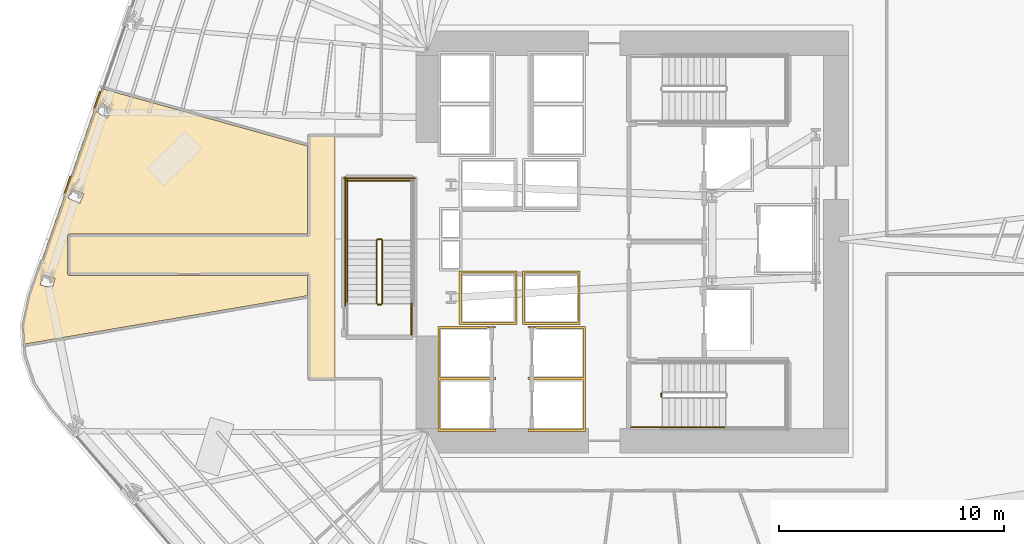
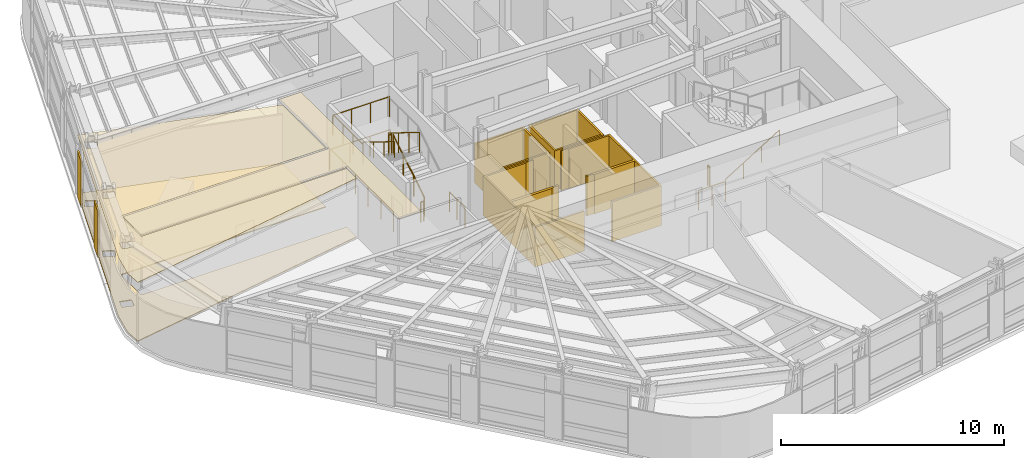
# One storey, part 13 of 18: 13 railings, 9 coverings.
"""IFC4 building model written with IfcOpenShell, lengths in metres."""

from ifc_helpers import new_model, si_unit, direction, frame, origin, origin_2d, place, context, subcontext, project, spatial, polyline, circle, outline, extrude, material, layer, layer_set, type_object, element, save


model = new_model("IFC4")

# Units and contexts
model_context = context("Model", 3, precision=1e-05, world=origin(), true_north=direction((0.0, 1.0)))
body_context = subcontext(model_context, "Body", "Model", "MODEL_VIEW")
ifc_project = project(units=[si_unit("LENGTHUNIT", "METRE"), si_unit("AREAUNIT", "SQUARE_METRE"), si_unit("VOLUMEUNIT", "CUBIC_METRE"), si_unit("PLANEANGLEUNIT", "RADIAN"), si_unit("MASSUNIT", "GRAM", prefix="KILO")], contexts=[model_context])

# Site, building, storey
site_placement = place(None, origin())
site = spatial("IfcSite", under=ifc_project, at=site_placement, CompositionType="ELEMENT")
building_placement = place(site_placement, origin())
building = spatial("IfcBuilding", under=site, at=building_placement, Name="Valkerne Bourse Tower", CompositionType="ELEMENT")
storey_placement = place(building_placement, frame((0.0, 0.0, 69.60009765625)))
storey = spatial("IfcBuildingStorey", under=building, at=storey_placement, Name="L17", CompositionType="ELEMENT", Elevation=69.60009765625)

# Coverings
ifc_material_1 = material(Name="Mineral Fiber Acoustic Ceiling Tile", Category="acoustic")
ifc_layer_1 = layer(ifc_material_1, 0.02490234375)
ifc_layer_set_1 = layer_set([ifc_layer_1], Name="Mineral Fiber Acoustic Ceiling Tile")
covering_type_1 = type_object("IfcCoveringType", Name="COV-CEIL-ACT", PredefinedType="CEILING", material=ifc_layer_set_1)
covering_1_placement = place(storey_placement, frame((0.0, 0.0, 3.22998046875)))
element("IfcCovering", 1, at=covering_1_placement, inside=storey, type_object=covering_type_1, Name="L17 Suspended Ceiling 05", PredefinedType="CEILING", context=body_context, shape_type="SweptSolid", body=[
    extrude(outline(polyline([(23.23779296875, 33.688232421875), (32.381103515625, 31.13427734375), (32.381103515625, 27.218994140625), (21.799560546875, 27.218994140625), (21.77099609375, 27.212646484375), (21.748779296875, 27.196533203125), (21.73095703125, 27.15087890625), (21.731201171875, 25.446533203125), (21.744873046875, 25.408203125), (21.783447265625, 25.3828125), (32.381103515625, 25.381103515625), (32.381103515625, 24.489501953125), (19.80810546875, 22.337890625), (19.760009765625, 23.173583984375), (20.029541015625, 24.47509765625), (23.23779296875, 33.688232421875)]), holes=[polyline([(21.17138671875, 25.268310546875), (20.634765625, 25.414794921875), (20.51318359375, 24.976318359375), (20.513427734375, 24.972412109375), (21.050048828125, 24.82568359375), (21.171630859375, 25.264404296875), (21.17138671875, 25.268310546875)]), polyline([(22.452880859375, 29.0048828125), (22.453125, 29.008544921875), (21.9443359375, 29.233642578125), (21.7587890625, 28.817626953125), (21.758544921875, 28.814208984375), (22.26708984375, 28.589111328125), (22.452880859375, 29.0048828125)]), polyline([(23.7275390625, 32.742431640625), (23.26171875, 33.04638671875), (23.01171875, 32.66552734375), (23.0107421875, 32.662109375), (23.476806640625, 32.3583984375), (23.726806640625, 32.739013671875), (23.7275390625, 32.742431640625)])]), origin(), (0.0, 0.0, 1.0), 0.02490234375),
])
ifc_material_2 = material(Name="Bronze Anodised Aluminium AA 6063-T6", Category="aluminium")
ifc_layer_2 = layer(ifc_material_2, 0.030029296875)
ifc_layer_set_2 = layer_set([ifc_layer_2], Name="Bronze Anodised Aluminium AA 6063-T6")
covering_type_2 = type_object("IfcCoveringType", Name="COV-CEIL-METAL", PredefinedType="CEILING", material=ifc_layer_set_2)
covering_2_placement = place(storey_placement, frame((0.0, 0.0, 3.22998046875)))
element("IfcCovering", 2, at=covering_2_placement, inside=storey, type_object=covering_type_2, Name="L17 Suspended Ceiling 02", PredefinedType="CEILING", context=body_context, shape_type="SweptSolid", body=[
    extrude(outline(polyline([(32.4541015625, 20.803955078125), (32.4541015625, 25.4541015625), (21.803955078125, 25.4541015625), (21.803955078125, 27.14599609375), (32.4541015625, 27.14599609375), (32.4541015625, 31.595947265625), (33.60009765625, 31.595947265625), (33.60009765625, 20.803955078125), (32.4541015625, 20.803955078125)])), origin(), (0.0, 0.0, 1.0), 0.02490234375),
])
ifc_layer_3 = layer(ifc_material_2, 0.06005859375)
ifc_layer_set_3 = layer_set([ifc_layer_3], Name="Bronze Anodised Aluminium AA 6063-T6")
covering_type_3 = type_object("IfcCoveringType", Name="COV-CRN-ALUM", PredefinedType="CLADDING", material=ifc_layer_set_3)
covering_3_placement = place(storey_placement, origin())
element("IfcCovering", 3, at=covering_3_placement, inside=storey, type_object=covering_type_3, Name="L17 Wind-Shaped Corner Aluminium Cladding 17", PredefinedType="CLADDING", context=body_context, shape_type="SweptSolid", body=[
    extrude(outline(polyline([(21.834228515625, 29.791748046875), (21.909912109375, 29.765380859375), (21.633544921875, 28.97216796875), (21.55810546875, 28.998291015625), (21.834228515625, 29.791748046875)])), origin(), (0.0, 0.0, 1.0), 2.5),
])
covering_4_placement = place(storey_placement, origin())
element("IfcCovering", 4, at=covering_4_placement, inside=storey, type_object=covering_type_3, Name="L17 Wind-Shaped Corner Aluminium Cladding 18", PredefinedType="CLADDING", context=body_context, shape_type="SweptSolid", body=[
    extrude(outline(polyline([(23.1484375, 33.565185546875), (23.22412109375, 33.5390625), (22.94775390625, 32.745849609375), (22.872314453125, 32.772216796875), (23.1484375, 33.565185546875)])), origin(), (0.0, 0.0, 1.0), 2.5),
])
ifc_material_3 = material(Name="Galvanised Painted Steel", Category="steel")
ifc_layer_4 = layer(ifc_material_3, 0.044921875)
ifc_layer_set_4 = layer_set([ifc_layer_4], Name="Galvanised Painted Steel")
covering_type_4 = type_object("IfcCoveringType", Name="COV-FLR-RAF", PredefinedType="FLOORING", material=ifc_layer_set_4)
covering_5_placement = place(storey_placement, origin())
element("IfcCovering", 5, at=covering_5_placement, inside=storey, type_object=covering_type_4, Name="L17 Floor Finish 05", PredefinedType="FLOORING", context=body_context, shape_type="SweptSolid", body=[
    extrude(outline(polyline([(23.23779296875, 33.688232421875), (32.381103515625, 31.13427734375), (32.381103515625, 27.218994140625), (21.799560546875, 27.218994140625), (21.77099609375, 27.212646484375), (21.748779296875, 27.196533203125), (21.73095703125, 27.15087890625), (21.731201171875, 25.446533203125), (21.744873046875, 25.408203125), (21.783447265625, 25.3828125), (32.381103515625, 25.381103515625), (32.381103515625, 24.489501953125), (19.80810546875, 22.337890625), (19.760009765625, 23.173583984375), (20.029541015625, 24.47509765625), (23.23779296875, 33.688232421875)]), holes=[polyline([(21.17138671875, 25.268310546875), (20.634765625, 25.414794921875), (20.51318359375, 24.976318359375), (20.513427734375, 24.972412109375), (21.050048828125, 24.82568359375), (21.171630859375, 25.264404296875), (21.17138671875, 25.268310546875)]), polyline([(22.452880859375, 29.0048828125), (22.453125, 29.008544921875), (21.9443359375, 29.233642578125), (21.7587890625, 28.817626953125), (21.758544921875, 28.814208984375), (22.26708984375, 28.589111328125), (22.452880859375, 29.0048828125)]), polyline([(23.7275390625, 32.742431640625), (23.26171875, 33.04638671875), (23.01171875, 32.66552734375), (23.0107421875, 32.662109375), (23.476806640625, 32.3583984375), (23.726806640625, 32.739013671875), (23.7275390625, 32.742431640625)])]), origin(), (0.0, 0.0, 1.0), 0.044921875),
])
ifc_material_4 = material(Name="Gypsum Shaftwall Liner Board", Category="gypsum")
ifc_layer_5 = layer(ifc_material_4, 0.080078125)
ifc_layer_set_5 = layer_set([ifc_layer_5], Name="Gypsum Shaftwall Liner Board")
covering_type_5 = type_object("IfcCoveringType", Name="COV-SHF-CLAD", PredefinedType="CLADDING", material=ifc_layer_set_5)
covering_6_placement = place(storey_placement, origin())
element("IfcCovering", 6, at=covering_6_placement, inside=storey, type_object=covering_type_5, Name="L17 Hoistway & Riser Shaftwall Liner 01", PredefinedType="CLADDING", context=body_context, shape_type="SweptSolid", body=[
    extrude(outline(polyline([(38.169921875, 23.1298828125), (40.72998046875, 23.1298828125), (40.72998046875, 23.052001953125), (40.72216796875, 23.0556640625), (40.6806640625, 23.070556640625), (40.6376953125, 23.081298828125), (40.593994140625, 23.087890625), (40.550048828125, 23.090087890625), (40.505859375, 23.087890625), (40.462158203125, 23.081298828125), (40.41943359375, 23.070556640625), (40.377685546875, 23.0556640625), (40.344482421875, 23.0400390625), (38.260009765625, 23.0400390625), (38.260009765625, 20.860107421875), (40.456787109375, 20.860107421875), (40.462158203125, 20.858642578125), (40.505859375, 20.852294921875), (40.550048828125, 20.85009765625), (40.593994140625, 20.852294921875), (40.6376953125, 20.858642578125), (40.6806640625, 20.869384765625), (40.72216796875, 20.88427734375), (40.72998046875, 20.887939453125), (40.72998046875, 20.830078125), (40.72998046875, 20.77001953125), (40.72998046875, 20.752197265625), (40.72216796875, 20.755615234375), (40.6806640625, 20.7705078125), (40.6376953125, 20.781494140625), (40.593994140625, 20.787841796875), (40.550048828125, 20.7900390625), (40.505859375, 20.787841796875), (40.462158203125, 20.781494140625), (40.41943359375, 20.7705078125), (40.377685546875, 20.755615234375), (40.344482421875, 20.739990234375), (38.260009765625, 20.739990234375), (38.260009765625, 18.56005859375), (40.456787109375, 18.56005859375), (40.462158203125, 18.55859375), (40.505859375, 18.55224609375), (40.550048828125, 18.550048828125), (40.593994140625, 18.55224609375), (40.6376953125, 18.55859375), (40.6806640625, 18.5693359375), (40.72216796875, 18.584228515625), (40.72998046875, 18.587890625), (40.72998046875, 18.469970703125), (38.169921875, 18.469970703125), (38.169921875, 20.77001953125), (38.169921875, 20.830078125), (38.169921875, 23.1298828125)])), origin(), (0.0, 0.0, 1.0), 2.179931640625),
])
covering_7_placement = place(storey_placement, origin())
element("IfcCovering", 7, at=covering_7_placement, inside=storey, type_object=covering_type_5, Name="L17 Hoistway & Riser Shaftwall Liner 02", PredefinedType="CLADDING", context=body_context, shape_type="SweptSolid", body=[
    extrude(outline(polyline([(41.679931640625, 23.219970703125), (39.1201171875, 23.219970703125), (39.1201171875, 25.580078125), (41.679931640625, 25.580078125), (41.679931640625, 23.219970703125)]), holes=[polyline([(39.2099609375, 25.489990234375), (39.2099609375, 23.31005859375), (41.590087890625, 23.31005859375), (41.590087890625, 25.489990234375), (39.2099609375, 25.489990234375)])]), origin(), (0.0, 0.0, 1.0), 2.179931640625),
])
covering_8_placement = place(storey_placement, origin())
element("IfcCovering", 8, at=covering_8_placement, inside=storey, type_object=covering_type_5, Name="L17 Hoistway & Riser Shaftwall Liner 03", PredefinedType="CLADDING", context=body_context, shape_type="SweptSolid", body=[
    extrude(outline(polyline([(44.47998046875, 23.219970703125), (41.919921875, 23.219970703125), (41.919921875, 25.580078125), (44.47998046875, 25.580078125), (44.47998046875, 23.219970703125)]), holes=[polyline([(42.010009765625, 25.489990234375), (42.010009765625, 23.31005859375), (44.389892578125, 23.31005859375), (44.389892578125, 25.489990234375), (42.010009765625, 25.489990234375)])]), origin(), (0.0, 0.0, 1.0), 2.179931640625),
])
covering_9_placement = place(storey_placement, origin())
element("IfcCovering", 9, at=covering_9_placement, inside=storey, type_object=covering_type_5, Name="L17 Hoistway & Riser Shaftwall Liner 06", PredefinedType="CLADDING", context=body_context, shape_type="SweptSolid", body=[
    extrude(outline(polyline([(42.169921875, 20.830078125), (42.169921875, 20.887939453125), (42.177734375, 20.88427734375), (42.219482421875, 20.869384765625), (42.26220703125, 20.858642578125), (42.305908203125, 20.852294921875), (42.35009765625, 20.85009765625), (42.39404296875, 20.852294921875), (42.437744140625, 20.858642578125), (42.443115234375, 20.860107421875), (44.639892578125, 20.860107421875), (44.639892578125, 23.0400390625), (42.555419921875, 23.0400390625), (42.522216796875, 23.0556640625), (42.480712890625, 23.070556640625), (42.437744140625, 23.081298828125), (42.39404296875, 23.087890625), (42.35009765625, 23.090087890625), (42.305908203125, 23.087890625), (42.26220703125, 23.081298828125), (42.219482421875, 23.070556640625), (42.177734375, 23.0556640625), (42.169921875, 23.052001953125), (42.169921875, 23.1298828125), (44.72998046875, 23.1298828125), (44.72998046875, 20.830078125), (44.72998046875, 20.77001953125), (44.72998046875, 18.469970703125), (42.169921875, 18.469970703125), (42.169921875, 18.587890625), (42.177734375, 18.584228515625), (42.219482421875, 18.5693359375), (42.26220703125, 18.55859375), (42.305908203125, 18.55224609375), (42.35009765625, 18.550048828125), (42.39404296875, 18.55224609375), (42.437744140625, 18.55859375), (42.443115234375, 18.56005859375), (44.639892578125, 18.56005859375), (44.639892578125, 20.739990234375), (42.555419921875, 20.739990234375), (42.522216796875, 20.755615234375), (42.480712890625, 20.7705078125), (42.437744140625, 20.781494140625), (42.39404296875, 20.787841796875), (42.35009765625, 20.7900390625), (42.305908203125, 20.787841796875), (42.26220703125, 20.781494140625), (42.219482421875, 20.7705078125), (42.177734375, 20.755615234375), (42.169921875, 20.752197265625), (42.169921875, 20.77001953125), (42.169921875, 20.830078125)])), origin(), (0.0, 0.0, 1.0), 2.179931640625),
])

# Railings
railing_type_1 = type_object("IfcRailingType", Name="RLG-ST-GUARD-1120", PredefinedType="GUARDRAIL", material=ifc_material_3)
railing_1_placement = place(storey_placement, frame((48.10009765625, 20.0, 0.0)))
element("IfcRailing", 10, at=railing_1_placement, inside=storey, type_object=railing_type_1, Name="L17 ST-1 stair guard 7", PredefinedType="GUARDRAIL", context=body_context, shape_type="SweptSolid", body=[
    extrude(circle(Radius=0.02392578125, at=origin_2d()), frame((0.0, 0.0, 1.09619140625), z_axis=(0.0, 1.0, 0.0), x_axis=(-1.0, 0.0, 0.0)), (0.0, 0.0, 1.0), 0.14990234375),
    extrude(circle(Radius=0.02099609375, at=origin_2d()), origin(), (0.0, 0.0, 1.0), 1.072021484375),
    extrude(circle(Radius=0.02099609375, at=origin_2d()), frame((0.0, 0.14990234375, 0.0)), (0.0, 0.0, 1.0), 1.072021484375),
])
railing_2_placement = place(storey_placement, frame((46.75, 18.64990234375, 0.0)))
element("IfcRailing", 11, at=railing_2_placement, inside=storey, type_object=railing_type_1, Name="L17 ST-1 stair guard 8", PredefinedType="GUARDRAIL", context=body_context, shape_type="SweptSolid", body=[
    extrude(circle(Radius=0.02392578125, at=origin_2d()), frame((0.0, 0.0, 1.09619140625), z_axis=(1.0, 0.0, 0.0), x_axis=(0.0, 1.0, 0.0)), (0.0, 0.0, 1.0), 1.39990234375),
    extrude(circle(Radius=0.02099609375, at=origin_2d()), origin(), (0.0, 0.0, 1.0), 1.072021484375),
    extrude(circle(Radius=0.02099609375, at=origin_2d()), frame((0.699951171875, 0.0, 0.0)), (0.0, 0.0, 1.0), 1.072021484375),
    extrude(circle(Radius=0.02099609375, at=origin_2d()), frame((1.39990234375, 0.0, 0.0)), (0.0, 0.0, 1.0), 1.072021484375),
])
railing_3_placement = place(storey_placement, frame((35.699951171875, 24.14990234375, 0.172607421875)))
element("IfcRailing", 12, at=railing_3_placement, inside=storey, type_object=railing_type_1, Name="L17 ST-3 stair guard 1", PredefinedType="GUARDRAIL", context=body_context, shape_type="SweptSolid", body=[
    extrude(circle(Radius=0.02392578125, at=origin_2d()), frame((0.0, 0.0, 1.09619140625), z_axis=(0.0, 0.851089632645, 0.525020415988), x_axis=(-1.0, 0.0, 0.0)), (0.0, 0.0, 1.0), 3.2900390625),
    extrude(circle(Radius=0.02099609375, at=origin_2d()), origin(), (0.0, 0.0, 1.0), 1.072021484375),
    extrude(circle(Radius=0.02099609375, at=origin_2d()), frame((0.0, 0.933349609375, 0.57568359375)), (0.0, 0.0, 1.0), 1.072021484375),
    extrude(circle(Radius=0.02099609375, at=origin_2d()), frame((0.0, 1.86669921875, 1.151611328125)), (0.0, 0.0, 1.0), 1.072021484375),
    extrude(circle(Radius=0.02099609375, at=origin_2d()), frame((0.0, 2.800048828125, 1.727294921875)), (0.0, 0.0, 1.0), 1.072021484375),
])
railing_4_placement = place(storey_placement, frame((35.64990234375, 27.0, 1.89990234375)))
element("IfcRailing", 13, at=railing_4_placement, inside=storey, type_object=railing_type_1, Name="L17 ST-3 stair guard 2", PredefinedType="GUARDRAIL", context=body_context, shape_type="SweptSolid", body=[
    extrude(circle(Radius=0.02392578125, at=origin_2d()), frame((0.0, 0.0, 1.09619140625), z_axis=(-1.0, 0.0, 0.0), x_axis=(0.0, -1.0, 0.0)), (0.0, 0.0, 1.0), 0.14990234375),
    extrude(circle(Radius=0.02099609375, at=origin_2d()), origin(), (0.0, 0.0, 1.0), 1.072021484375),
    extrude(circle(Radius=0.02099609375, at=origin_2d()), frame((-0.14990234375, 0.0, 0.0)), (0.0, 0.0, 1.0), 1.072021484375),
])
railing_5_placement = place(storey_placement, frame((34.14990234375, 26.949951171875, 1.89990234375)))
element("IfcRailing", 14, at=railing_5_placement, inside=storey, type_object=railing_type_1, Name="L17 ST-3 stair guard 4", PredefinedType="GUARDRAIL", context=body_context, shape_type="SweptSolid", body=[
    extrude(circle(Radius=0.02392578125, at=origin_2d()), frame((0.0, 0.0, 1.09619140625), z_axis=(0.0, 1.0, 0.0), x_axis=(-1.0, 0.0, 0.0)), (0.0, 0.0, 1.0), 2.699951171875),
    extrude(circle(Radius=0.02099609375, at=origin_2d()), origin(), (0.0, 0.0, 1.0), 1.072021484375),
    extrude(circle(Radius=0.02099609375, at=origin_2d()), frame((0.0, 0.89990234375, 0.0)), (0.0, 0.0, 1.0), 1.072021484375),
    extrude(circle(Radius=0.02099609375, at=origin_2d()), frame((0.0, 1.800048828125, 0.0)), (0.0, 0.0, 1.0), 1.072021484375),
    extrude(circle(Radius=0.02099609375, at=origin_2d()), frame((0.0, 2.699951171875, 0.0)), (0.0, 0.0, 1.0), 1.072021484375),
])
railing_6_placement = place(storey_placement, frame((37.050048828125, 29.60009765625, 1.89990234375)))
element("IfcRailing", 15, at=railing_6_placement, inside=storey, type_object=railing_type_1, Name="L17 ST-3 stair guard 5", PredefinedType="GUARDRAIL", context=body_context, shape_type="SweptSolid", body=[
    extrude(circle(Radius=0.02392578125, at=origin_2d()), frame((0.0, 0.0, 1.09619140625), z_axis=(-1.0, 0.0, 0.0), x_axis=(0.0, -1.0, 0.0)), (0.0, 0.0, 1.0), 2.949951171875),
    extrude(circle(Radius=0.02099609375, at=origin_2d()), origin(), (0.0, 0.0, 1.0), 1.072021484375),
    extrude(circle(Radius=0.02099609375, at=origin_2d()), frame((-0.9833984375, 0.0, 0.0)), (0.0, 0.0, 1.0), 1.072021484375),
    extrude(circle(Radius=0.02099609375, at=origin_2d()), frame((-1.966552734375, 0.0, 0.0)), (0.0, 0.0, 1.0), 1.072021484375),
    extrude(circle(Radius=0.02099609375, at=origin_2d()), frame((-2.949951171875, 0.0, 0.0)), (0.0, 0.0, 1.0), 1.072021484375),
])
railing_7_placement = place(storey_placement, frame((35.449951171875, 26.949951171875, 2.072509765625)))
element("IfcRailing", 16, at=railing_7_placement, inside=storey, type_object=railing_type_1, Name="L17 ST-3 stair guard 6", PredefinedType="GUARDRAIL", context=body_context, shape_type="SweptSolid", body=[
    extrude(circle(Radius=0.02392578125, at=origin_2d()), frame((0.0, 0.0, 1.09619140625), z_axis=(0.0, -0.851089632645, 0.525020415988), x_axis=(1.0, 0.0, 0.0)), (0.0, 0.0, 1.0), 3.2900390625),
    extrude(circle(Radius=0.02099609375, at=origin_2d()), origin(), (0.0, 0.0, 1.0), 1.072021484375),
    extrude(circle(Radius=0.02099609375, at=origin_2d()), frame((0.0, -0.933349609375, 0.57568359375)), (0.0, 0.0, 1.0), 1.072021484375),
    extrude(circle(Radius=0.02099609375, at=origin_2d()), frame((0.0, -1.86669921875, 1.151611328125)), (0.0, 0.0, 1.0), 1.072021484375),
    extrude(circle(Radius=0.02099609375, at=origin_2d()), frame((0.0, -2.800048828125, 1.727294921875)), (0.0, 0.0, 1.0), 1.072021484375),
])
railing_8_placement = place(storey_placement, frame((35.64990234375, 24.10009765625, 0.0)))
element("IfcRailing", 17, at=railing_8_placement, inside=storey, type_object=railing_type_1, Name="L17 ST-3 stair guard 7", PredefinedType="GUARDRAIL", context=body_context, shape_type="SweptSolid", body=[
    extrude(circle(Radius=0.02392578125, at=origin_2d()), frame((0.0, 0.0, 1.09619140625), z_axis=(-1.0, 0.0, 0.0), x_axis=(0.0, -1.0, 0.0)), (0.0, 0.0, 1.0), 0.14990234375),
    extrude(circle(Radius=0.02099609375, at=origin_2d()), origin(), (0.0, 0.0, 1.0), 1.072021484375),
    extrude(circle(Radius=0.02099609375, at=origin_2d()), frame((-0.14990234375, 0.0, 0.0)), (0.0, 0.0, 1.0), 1.072021484375),
])
railing_9_placement = place(storey_placement, frame((37.0, 22.75, 0.0)))
element("IfcRailing", 18, at=railing_9_placement, inside=storey, type_object=railing_type_1, Name="L17 ST-3 stair guard 8", PredefinedType="GUARDRAIL", context=body_context, shape_type="SweptSolid", body=[
    extrude(circle(Radius=0.02392578125, at=origin_2d()), frame((0.0, 0.0, 1.09619140625), z_axis=(0.0, 1.0, 0.0), x_axis=(-1.0, 0.0, 0.0)), (0.0, 0.0, 1.0), 1.39990234375),
    extrude(circle(Radius=0.02099609375, at=origin_2d()), origin(), (0.0, 0.0, 1.0), 1.072021484375),
    extrude(circle(Radius=0.02099609375, at=origin_2d()), frame((0.0, 0.699951171875, 0.0)), (0.0, 0.0, 1.0), 1.072021484375),
    extrude(circle(Radius=0.02099609375, at=origin_2d()), frame((0.0, 1.39990234375, 0.0)), (0.0, 0.0, 1.0), 1.072021484375),
])
railing_10_placement = place(storey_placement, frame((34.050048828125, 24.050048828125, 0.0)))
element("IfcRailing", 19, at=railing_10_placement, inside=storey, type_object=railing_type_1, Name="L17 ST-3 stair guard 11", PredefinedType="GUARDRAIL", context=body_context, shape_type="SweptSolid", body=[
    extrude(circle(Radius=0.02392578125, at=origin_2d()), frame((0.0, 0.0, 1.09619140625), z_axis=(0.0, 1.0, 0.0), x_axis=(-1.0, 0.0, 0.0)), (0.0, 0.0, 1.0), 5.699951171875),
    extrude(circle(Radius=0.02099609375, at=origin_2d()), origin(), (0.0, 0.0, 1.0), 1.072021484375),
    extrude(circle(Radius=0.02099609375, at=origin_2d()), frame((0.0, 1.139892578125, 0.0)), (0.0, 0.0, 1.0), 1.072021484375),
    extrude(circle(Radius=0.02099609375, at=origin_2d()), frame((0.0, 2.280029296875, 0.0)), (0.0, 0.0, 1.0), 1.072021484375),
    extrude(circle(Radius=0.02099609375, at=origin_2d()), frame((0.0, 3.419921875, 0.0)), (0.0, 0.0, 1.0), 1.072021484375),
    extrude(circle(Radius=0.02099609375, at=origin_2d()), frame((0.0, 4.56005859375, 0.0)), (0.0, 0.0, 1.0), 1.072021484375),
    extrude(circle(Radius=0.02099609375, at=origin_2d()), frame((0.0, 5.699951171875, 0.0)), (0.0, 0.0, 1.0), 1.072021484375),
])
railing_11_placement = place(storey_placement, frame((37.14990234375, 29.699951171875, 0.0)))
element("IfcRailing", 20, at=railing_11_placement, inside=storey, type_object=railing_type_1, Name="L17 ST-3 stair guard 12", PredefinedType="GUARDRAIL", context=body_context, shape_type="SweptSolid", body=[
    extrude(circle(Radius=0.02392578125, at=origin_2d()), frame((0.0, 0.0, 1.09619140625), z_axis=(-1.0, 0.0, 0.0), x_axis=(0.0, -1.0, 0.0)), (0.0, 0.0, 1.0), 3.14990234375),
    extrude(circle(Radius=0.02099609375, at=origin_2d()), origin(), (0.0, 0.0, 1.0), 1.072021484375),
    extrude(circle(Radius=0.02099609375, at=origin_2d()), frame((-1.050048828125, 0.0, 0.0)), (0.0, 0.0, 1.0), 1.072021484375),
    extrude(circle(Radius=0.02099609375, at=origin_2d()), frame((-2.099853515625, 0.0, 0.0)), (0.0, 0.0, 1.0), 1.072021484375),
    extrude(circle(Radius=0.02099609375, at=origin_2d()), frame((-3.14990234375, 0.0, 0.0)), (0.0, 0.0, 1.0), 1.072021484375),
])
ifc_material_5 = material(Name="Stainless Steel AISI 316", Category="steel")
railing_type_2 = type_object("IfcRailingType", Name="RLG-ST-HANDRAIL-900", PredefinedType="HANDRAIL", material=ifc_material_5)
railing_12_placement = place(storey_placement, frame((48.14990234375, 18.64990234375, 0.345458984375)))
element("IfcRailing", 21, at=railing_12_placement, inside=storey, type_object=railing_type_2, Name="L17 ST-1 stair handrail 1", PredefinedType="HANDRAIL", context=body_context, shape_type="SweptSolid", body=[
    extrude(circle(Radius=0.02392578125, at=origin_2d()), frame((0.0, 0.0, 0.8759765625), z_axis=(0.851122791225, 0.0, 0.524966660138), x_axis=(0.0, 1.0, 0.0)), (0.0, 0.0, 1.0), 3.289794921875),
    extrude(circle(Radius=0.02099609375, at=origin_2d()), origin(), (0.0, 0.0, 1.0), 0.851806640625),
    extrude(circle(Radius=0.02099609375, at=origin_2d()), frame((0.933349609375, 0.0, 0.57568359375)), (0.0, 0.0, 1.0), 0.851806640625),
    extrude(circle(Radius=0.02099609375, at=origin_2d()), frame((1.86669921875, 0.0, 1.1513671875)), (0.0, 0.0, 1.0), 0.851806640625),
    extrude(circle(Radius=0.02099609375, at=origin_2d()), frame((2.800048828125, 0.0, 1.72705078125)), (0.0, 0.0, 1.0), 0.851806640625),
])
railing_13_placement = place(storey_placement, frame((34.14990234375, 26.949951171875, 2.245361328125)))
element("IfcRailing", 22, at=railing_13_placement, inside=storey, type_object=railing_type_2, Name="L17 ST-3 stair handrail 2", PredefinedType="HANDRAIL", context=body_context, shape_type="SweptSolid", body=[
    extrude(circle(Radius=0.02392578125, at=origin_2d()), frame((0.0, 0.0, 0.8759765625), z_axis=(0.0, -0.851089632645, 0.525020415988), x_axis=(1.0, 0.0, 0.0)), (0.0, 0.0, 1.0), 3.2900390625),
    extrude(circle(Radius=0.02099609375, at=origin_2d()), origin(), (0.0, 0.0, 1.0), 0.851806640625),
    extrude(circle(Radius=0.02099609375, at=origin_2d()), frame((0.0, -0.933349609375, 0.57568359375)), (0.0, 0.0, 1.0), 0.851806640625),
    extrude(circle(Radius=0.02099609375, at=origin_2d()), frame((0.0, -1.86669921875, 1.151611328125)), (0.0, 0.0, 1.0), 0.851806640625),
    extrude(circle(Radius=0.02099609375, at=origin_2d()), frame((0.0, -2.800048828125, 1.727294921875)), (0.0, 0.0, 1.0), 0.851806640625),
])

save(model, "model.ifc")
